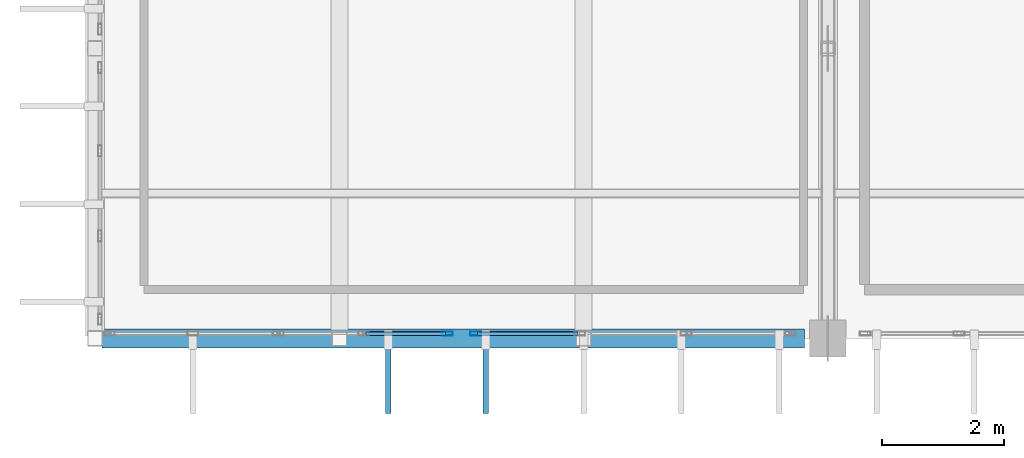
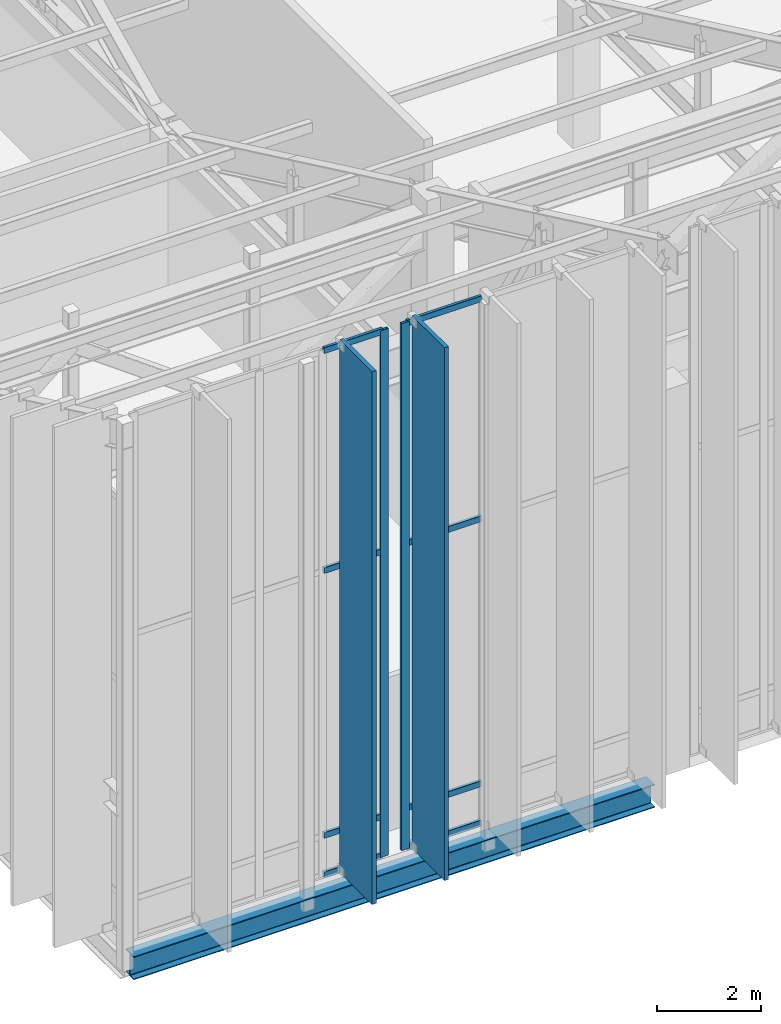
# One storey, part 3 of 68: 12 members, 1 beam, 2 elements without a shape of their own.
"""IFC4 building model written with IfcOpenShell, lengths in metres."""

from ifc_helpers import new_model, si_unit, direction, frame, origin, origin_2d, place, context, subcontext, project, spatial, rectangle, hollow_rectangle, i_section, extrude, material, material_profile, profile_set, type_object, element, aggregate, save


model = new_model("IFC4")

# Units and contexts
model_context = context("Model", 3, precision=1e-05, world=origin(), true_north=direction((0.0, 1.0)))
body_context = subcontext(model_context, "Body", "Model", "MODEL_VIEW")
ifc_project = project(units=[si_unit("LENGTHUNIT", "METRE"), si_unit("AREAUNIT", "SQUARE_METRE"), si_unit("VOLUMEUNIT", "CUBIC_METRE"), si_unit("PLANEANGLEUNIT", "RADIAN"), si_unit("MASSUNIT", "GRAM", prefix="KILO")], contexts=[model_context])

# Site, building, storey
site_placement = place(None, origin())
site = spatial("IfcSite", under=ifc_project, at=site_placement, CompositionType="ELEMENT")
building_placement = place(site_placement, origin())
building = spatial("IfcBuilding", under=site, at=building_placement, Name="Miravela Opera House", CompositionType="ELEMENT")
storey_placement = place(building_placement, frame((0.0, 0.0, 21.760009765625)))
storey = spatial("IfcBuildingStorey", under=building, at=storey_placement, Name="L05", CompositionType="ELEMENT", Elevation=21.760009765625)

# Curtain wall, member
ifc_material_1 = material(Name="Anodised architectural bronze aluminium 6063-T6", Category="aluminium")
curtain_wall_type = type_object("IfcCurtainWallType", Name="ARC-CW-03", PredefinedType="NOTDEFINED", material=ifc_material_1)
curtain_wall_1_placement = place(storey_placement, origin())
curtain_wall_1 = element("IfcCurtainWall", 1, at=curtain_wall_1_placement, inside=storey, type_object=curtain_wall_type, Name="Auditorium South Wrapper Glazing CW-L05-056", PredefinedType="NOTDEFINED")
ifc_material_profile_1 = material_profile(ifc_material_1, hollow_rectangle(XDim=0.06494140625, YDim=0.179931640625, WallThickness=0.00390625, InnerFilletRadius=0.001953125, OuterFilletRadius=0.00390625, at=origin_2d()), Name="CWM-65X180")
ifc_profile_set_1 = profile_set([ifc_material_profile_1])
member_type_1 = type_object("IfcMemberType", Name="ARC-CWM-180", PredefinedType="MULLION", material=ifc_profile_set_1)
member_1_placement = place(storey_placement, frame((20.767578125, 37.080078125, 0.0), z_axis=(0.0, 0.0, 1.0), x_axis=(0.0, 1.0, 0.0)))
member_1 = element("IfcMember", 2, at=member_1_placement, type_object=member_type_1, Name="CW-03 mullion 5", PredefinedType="MULLION", context=body_context, shape_type="SweptSolid", body=[
    extrude(hollow_rectangle(XDim=0.06494140625, YDim=0.179931640625, WallThickness=0.00390625, InnerFilletRadius=0.001953125, OuterFilletRadius=0.00390625, at=origin_2d()), origin(), (0.0, 0.0, 1.0), 12.31005859375),
])

curtain_wall_2_placement = place(storey_placement, origin())
curtain_wall_2 = element("IfcCurtainWall", 3, at=curtain_wall_2_placement, inside=storey, type_object=curtain_wall_type, Name="Auditorium South Wrapper Glazing CW-L05-058", PredefinedType="NOTDEFINED")
member_2_placement = place(storey_placement, frame((21.232421875, 37.080078125, 0.0), z_axis=(0.0, 0.0, 1.0), x_axis=(0.0, 1.0, 0.0)))
member_2 = element("IfcMember", 4, at=member_2_placement, type_object=member_type_1, Name="CW-03 mullion 1", PredefinedType="MULLION", context=body_context, shape_type="SweptSolid", body=[
    extrude(hollow_rectangle(XDim=0.06494140625, YDim=0.179931640625, WallThickness=0.00390625, InnerFilletRadius=0.001953125, OuterFilletRadius=0.00390625, at=origin_2d()), origin(), (0.0, 0.0, 1.0), 12.31005859375),
])

# Member
ifc_material_profile_2 = material_profile(ifc_material_1, hollow_rectangle(XDim=0.06494140625, YDim=0.139892578125, WallThickness=0.00390625, InnerFilletRadius=0.001953125, OuterFilletRadius=0.00390625, at=origin_2d()), Name="CWT-65X140")
ifc_profile_set_2 = profile_set([ifc_material_profile_2])
member_type_2 = type_object("IfcMemberType", Name="ARC-CWT-140", PredefinedType="USERDEFINED", material=ifc_profile_set_2)
member_3_placement = place(storey_placement, frame((19.4326171875, 37.080078125, 0.032470703125), z_axis=(1.0, 0.0, 0.0), x_axis=(0.0, 1.0, 0.0)))
member_3 = element("IfcMember", 5, at=member_3_placement, type_object=member_type_2, Name="CW-03 transom 4.1", ObjectType="TRANSOM", PredefinedType="USERDEFINED", context=body_context, shape_type="SweptSolid", body=[
    extrude(hollow_rectangle(XDim=0.06494140625, YDim=0.139892578125, WallThickness=0.00390625, InnerFilletRadius=0.001953125, OuterFilletRadius=0.00390625, at=origin_2d()), origin(), (0.0, 0.0, 1.0), 1.302490234375),
])

member_4_placement = place(storey_placement, frame((19.4326171875, 37.080078125, 0.949951171875), z_axis=(1.0, 0.0, 0.0), x_axis=(0.0, 1.0, 0.0)))
member_4 = element("IfcMember", 6, at=member_4_placement, type_object=member_type_2, Name="CW-03 transom 4.2", ObjectType="TRANSOM", PredefinedType="USERDEFINED", context=body_context, shape_type="SweptSolid", body=[
    extrude(hollow_rectangle(XDim=0.06494140625, YDim=0.139892578125, WallThickness=0.00390625, InnerFilletRadius=0.001953125, OuterFilletRadius=0.00390625, at=origin_2d()), origin(), (0.0, 0.0, 1.0), 1.302490234375),
])

member_5_placement = place(storey_placement, frame((19.4326171875, 37.080078125, 7.139892578125), z_axis=(1.0, 0.0, 0.0), x_axis=(0.0, 1.0, 0.0)))
member_5 = element("IfcMember", 7, at=member_5_placement, type_object=member_type_2, Name="CW-03 transom 4.3", ObjectType="TRANSOM", PredefinedType="USERDEFINED", context=body_context, shape_type="SweptSolid", body=[
    extrude(hollow_rectangle(XDim=0.06494140625, YDim=0.139892578125, WallThickness=0.00390625, InnerFilletRadius=0.001953125, OuterFilletRadius=0.00390625, at=origin_2d()), origin(), (0.0, 0.0, 1.0), 1.302490234375),
])

member_6_placement = place(storey_placement, frame((19.4326171875, 37.080078125, 12.277587890625), z_axis=(1.0, 0.0, 0.0), x_axis=(0.0, 1.0, 0.0)))
member_6 = element("IfcMember", 8, at=member_6_placement, type_object=member_type_2, Name="CW-03 transom 4.4", ObjectType="TRANSOM", PredefinedType="USERDEFINED", context=body_context, shape_type="SweptSolid", body=[
    extrude(hollow_rectangle(XDim=0.06494140625, YDim=0.139892578125, WallThickness=0.00390625, InnerFilletRadius=0.001953125, OuterFilletRadius=0.00390625, at=origin_2d()), origin(), (0.0, 0.0, 1.0), 1.302490234375),
])

aggregate(curtain_wall_1, [member_1, member_3, member_4, member_5, member_6])

member_7_placement = place(storey_placement, frame((21.264892578125, 37.080078125, 0.032470703125), z_axis=(1.0, 0.0, 0.0), x_axis=(0.0, 1.0, 0.0)))
member_7 = element("IfcMember", 9, at=member_7_placement, type_object=member_type_2, Name="CW-03 transom 1.1", ObjectType="TRANSOM", PredefinedType="USERDEFINED", context=body_context, shape_type="SweptSolid", body=[
    extrude(hollow_rectangle(XDim=0.06494140625, YDim=0.139892578125, WallThickness=0.00390625, InnerFilletRadius=0.001953125, OuterFilletRadius=0.00390625, at=origin_2d()), origin(), (0.0, 0.0, 1.0), 1.642578125),
])

member_8_placement = place(storey_placement, frame((21.264892578125, 37.080078125, 0.949951171875), z_axis=(1.0, 0.0, 0.0), x_axis=(0.0, 1.0, 0.0)))
member_8 = element("IfcMember", 10, at=member_8_placement, type_object=member_type_2, Name="CW-03 transom 1.2", ObjectType="TRANSOM", PredefinedType="USERDEFINED", context=body_context, shape_type="SweptSolid", body=[
    extrude(hollow_rectangle(XDim=0.06494140625, YDim=0.139892578125, WallThickness=0.00390625, InnerFilletRadius=0.001953125, OuterFilletRadius=0.00390625, at=origin_2d()), origin(), (0.0, 0.0, 1.0), 1.642578125),
])

member_9_placement = place(storey_placement, frame((21.264892578125, 37.080078125, 7.139892578125), z_axis=(1.0, 0.0, 0.0), x_axis=(0.0, 1.0, 0.0)))
member_9 = element("IfcMember", 11, at=member_9_placement, type_object=member_type_2, Name="CW-03 transom 1.3", ObjectType="TRANSOM", PredefinedType="USERDEFINED", context=body_context, shape_type="SweptSolid", body=[
    extrude(hollow_rectangle(XDim=0.06494140625, YDim=0.139892578125, WallThickness=0.00390625, InnerFilletRadius=0.001953125, OuterFilletRadius=0.00390625, at=origin_2d()), origin(), (0.0, 0.0, 1.0), 1.642578125),
])

member_10_placement = place(storey_placement, frame((21.264892578125, 37.080078125, 12.277587890625), z_axis=(1.0, 0.0, 0.0), x_axis=(0.0, 1.0, 0.0)))
member_10 = element("IfcMember", 12, at=member_10_placement, type_object=member_type_2, Name="CW-03 transom 1.4", ObjectType="TRANSOM", PredefinedType="USERDEFINED", context=body_context, shape_type="SweptSolid", body=[
    extrude(hollow_rectangle(XDim=0.06494140625, YDim=0.139892578125, WallThickness=0.00390625, InnerFilletRadius=0.001953125, OuterFilletRadius=0.00390625, at=origin_2d()), origin(), (0.0, 0.0, 1.0), 1.642578125),
])

aggregate(curtain_wall_2, [member_2, member_7, member_8, member_9, member_10])

# Members
ifc_material_profile_3 = material_profile(ifc_material_1, rectangle(XDim=0.090087890625, YDim=1.25, at=origin_2d()), Name="FIN-1250X90")
ifc_profile_set_3 = profile_set([ifc_material_profile_3])
member_type_3 = type_object("IfcMemberType", Name="ARC-FIN-1250", PredefinedType="USERDEFINED", material=ifc_profile_set_3)
for number, where, z_axis, x_axis, name in (
    (13, (19.800048828125, 36.39501953125, 0.0), (0.0, 0.0, 1.0), (1.0, 0.0, 0.0), "Auditorium Wrapper Bronze Solar Fin FIN-L05-SOUTH-0168"),
    (14, (21.39990234375, 36.39501953125, 0.0), (0.0, 0.0, 1.0), (1.0, 0.0, 0.0), "Auditorium Wrapper Bronze Solar Fin FIN-L05-SOUTH-0170"),
):
    element("IfcMember", number, at=place(storey_placement, frame(where, z_axis=z_axis, x_axis=x_axis)), inside=storey, type_object=member_type_3, Name=name, ObjectType="FIN", PredefinedType="USERDEFINED", context=body_context, shape_type="SweptSolid", body=[
        extrude(rectangle(XDim=0.090087890625, YDim=1.25, at=origin_2d()), origin(), (0.0, 0.0, 1.0), 12.449951171875),
    ])

# Beam
ifc_material_2 = material(Name="Structural steel ASTM A992 Gr. 50", Category="steel")
ifc_material_profile_4 = material_profile(ifc_material_2, i_section(OverallWidth=0.31201171875, OverallDepth=0.54296875, WebThickness=0.0126953125, FlangeThickness=0.020263671875, FilletRadius=0.01611328125, at=origin_2d()), Name="W530X150")
ifc_profile_set_4 = profile_set([ifc_material_profile_4])
beam_type = type_object("IfcBeamType", Name="STR-BM-W530X150", PredefinedType="BEAM", material=ifc_profile_set_4)
beam_placement = place(storey_placement, frame((15.110107421875, 37.0, -0.511474609375), z_axis=(1.0, 0.0, 0.0), x_axis=(0.0, 1.0, 0.0)))
element("IfcBeam", 15, at=beam_placement, inside=storey, type_object=beam_type, Name="Cantilever Chord L05 T1", PredefinedType="BEAM", context=body_context, shape_type="SweptSolid", body=[
    extrude(i_section(OverallWidth=0.31201171875, OverallDepth=0.54296875, WebThickness=0.0126953125, FlangeThickness=0.020263671875, FilletRadius=0.01611328125, at=origin_2d()), origin(), (0.0, 0.0, 1.0), 11.510009765625),
])

save(model, "model.ifc")
